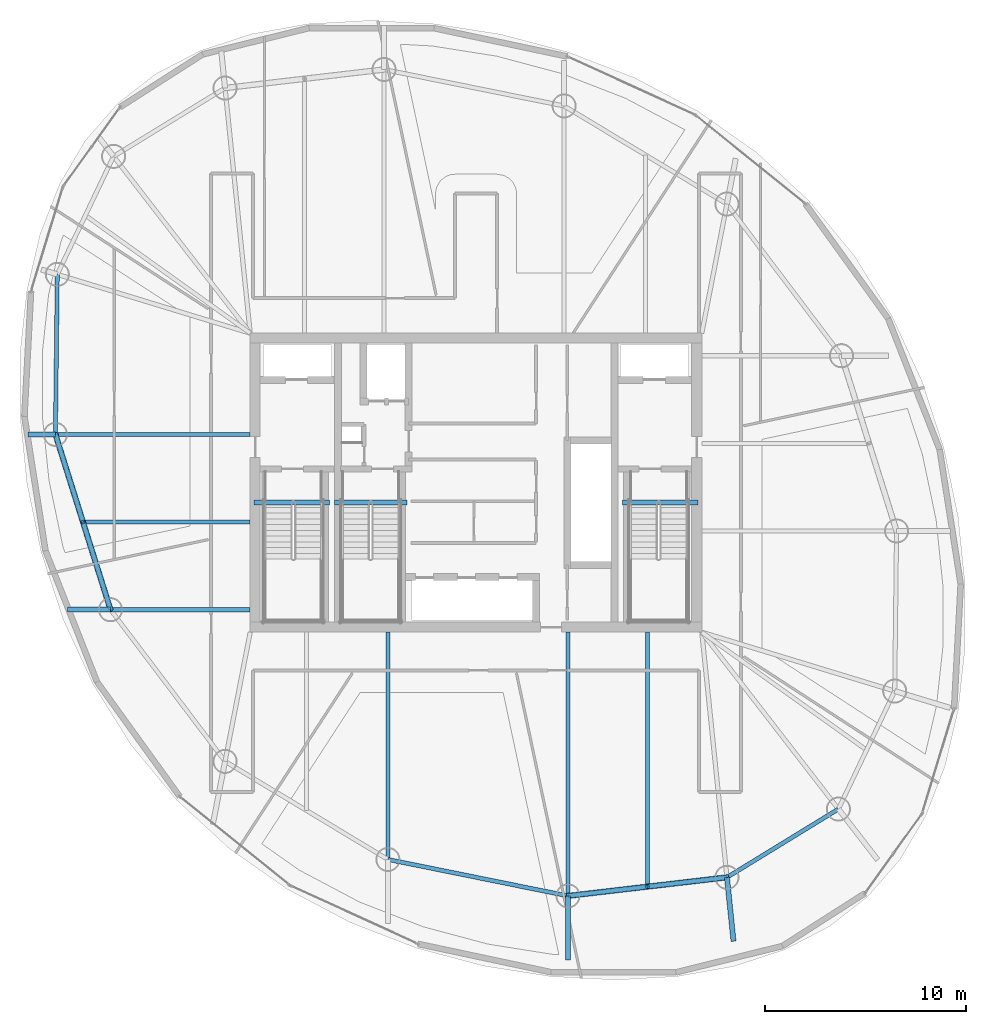
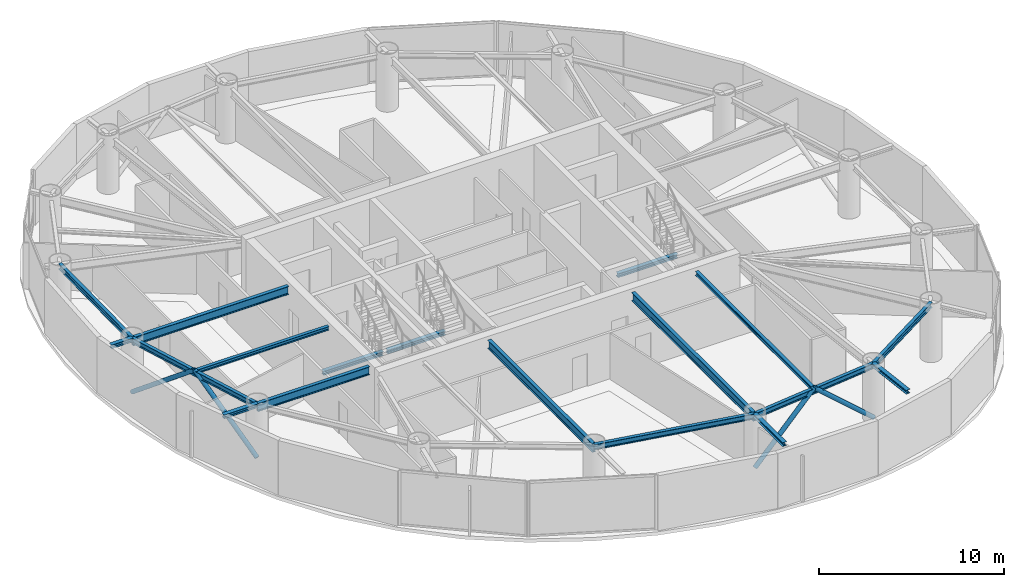
# One storey, part 4 of 19: 18 beams, 4 members.
"""IFC4 building model written with IfcOpenShell, lengths in metres."""

from ifc_helpers import new_model, si_unit, direction, frame, origin, origin_2d, place, context, subcontext, project, spatial, hollow_circle, i_section, extrude, material, material_profile, profile_set, type_object, element, save


model = new_model("IFC4")

# Units and contexts
model_context = context("Model", 3, precision=1e-05, world=origin(), true_north=direction((0.0, 1.0)))
body_context = subcontext(model_context, "Body", "Model", "MODEL_VIEW")
ifc_project = project(units=[si_unit("LENGTHUNIT", "METRE"), si_unit("AREAUNIT", "SQUARE_METRE"), si_unit("VOLUMEUNIT", "CUBIC_METRE"), si_unit("PLANEANGLEUNIT", "RADIAN"), si_unit("MASSUNIT", "GRAM", prefix="KILO")], contexts=[model_context])

# Site, building, storey
site_placement = place(None, origin())
site = spatial("IfcSite", under=ifc_project, at=site_placement, CompositionType="ELEMENT")
building_placement = place(site_placement, origin())
building = spatial("IfcBuilding", under=site, at=building_placement, Name="Bramvorn Convention Spire", CompositionType="ELEMENT")
storey_placement = place(building_placement, frame((0.0, 0.0, 217.39990234375)))
storey = spatial("IfcBuildingStorey", under=building, at=storey_placement, Name="L55", CompositionType="ELEMENT", Elevation=217.39990234375)

# Beams
ifc_material = material(Name="Steel CSA G40.21 Grade 350 (350W)", Category="steel")
ifc_material_profile_1 = material_profile(ifc_material, i_section(OverallWidth=0.201904296875, OverallDepth=0.2470703125, WebThickness=0.00732421875, FlangeThickness=0.010986328125, FilletRadius=0.011962890625, at=origin_2d()))
ifc_profile_set_1 = profile_set([ifc_material_profile_1], Name="Steel CSA G40.21 Grade 350 (350W) - W250X49")
beam_type_1 = type_object("IfcBeamType", Name="BM-W250X49", PredefinedType="JOIST", material=ifc_profile_set_1)
beam_1_placement = place(storey_placement, frame((26.75, 24.039794921875, 3.49658203125), z_axis=(-1.0, 0.0, 0.0), x_axis=(0.0, -1.0, 0.0)))
element("IfcBeam", 1, at=beam_1_placement, inside=storey, type_object=beam_type_1, Name="L55 composite floor joist 11", PredefinedType="JOIST", context=body_context, shape_type="SweptSolid", body=[
    extrude(i_section(OverallWidth=0.201904296875, OverallDepth=0.2470703125, WebThickness=0.00732421875, FlangeThickness=0.010986328125, FilletRadius=0.011962890625, at=origin_2d()), origin(), (0.0, 0.0, 1.0), 8.33251953125),
])
beam_2_placement = place(storey_placement, frame((46.544189453125, 18.550048828125, 3.49658203125), z_axis=(0.0, -1.0, 0.0), x_axis=(1.0, 0.0, 0.0)))
element("IfcBeam", 2, at=beam_2_placement, inside=storey, type_object=beam_type_1, Name="L55 composite floor joist 15", PredefinedType="JOIST", context=body_context, shape_type="SweptSolid", body=[
    extrude(i_section(OverallWidth=0.201904296875, OverallDepth=0.2470703125, WebThickness=0.00732421875, FlangeThickness=0.010986328125, FilletRadius=0.011962890625, at=origin_2d()), origin(), (0.0, 0.0, 1.0), 12.67626953125),
])
ifc_material_profile_2 = material_profile(ifc_material, i_section(OverallWidth=0.25390625, OverallDepth=0.2529296875, WebThickness=0.008544921875, FlangeThickness=0.01416015625, FilletRadius=0.011962890625, at=origin_2d()))
ifc_profile_set_2 = profile_set([ifc_material_profile_2], Name="Steel CSA G40.21 Grade 350 (350W) - W250X73")
beam_type_2 = type_object("IfcBeamType", Name="BM-W250X73", PredefinedType="BEAM", material=ifc_profile_set_2)
beam_3_placement = place(storey_placement, frame((17.04541015625, 28.406494140625, 3.49365234375), z_axis=(-1.0, 0.0, 0.0), x_axis=(0.0, -1.0, 0.0)))
element("IfcBeam", 3, at=beam_3_placement, inside=storey, type_object=beam_type_2, Name="L55 slab-edge cantilever tip beam MC11", PredefinedType="BEAM", context=body_context, shape_type="SweptSolid", body=[
    extrude(i_section(OverallWidth=0.25390625, OverallDepth=0.2529296875, WebThickness=0.008544921875, FlangeThickness=0.01416015625, FilletRadius=0.011962890625, at=origin_2d()), origin(), (0.0, 0.0, 1.0), 1.357666015625),
])
beam_4_placement = place(storey_placement, frame((19.78955078125, 19.672607421875, 3.49365234375), z_axis=(-1.0, 0.0, 0.0), x_axis=(0.0, -1.0, 0.0)))
element("IfcBeam", 4, at=beam_4_placement, inside=storey, type_object=beam_type_2, Name="L55 slab-edge cantilever tip beam MC12", PredefinedType="BEAM", context=body_context, shape_type="SweptSolid", body=[
    extrude(i_section(OverallWidth=0.25390625, OverallDepth=0.2529296875, WebThickness=0.008544921875, FlangeThickness=0.01416015625, FilletRadius=0.011962890625, at=origin_2d()), origin(), (0.0, 0.0, 1.0), 2.13427734375),
])
beam_5_placement = place(storey_placement, frame((42.583740234375, 5.41162109375, 3.49365234375), z_axis=(0.0, -1.0, 0.0), x_axis=(1.0, 0.0, 0.0)))
element("IfcBeam", 5, at=beam_5_placement, inside=storey, type_object=beam_type_2, Name="L55 slab-edge cantilever tip beam MC15", PredefinedType="BEAM", context=body_context, shape_type="SweptSolid", body=[
    extrude(i_section(OverallWidth=0.25390625, OverallDepth=0.2529296875, WebThickness=0.008544921875, FlangeThickness=0.01416015625, FilletRadius=0.011962890625, at=origin_2d()), origin(), (0.0, 0.0, 1.0), 3.199951171875),
])
beam_6_placement = place(storey_placement, frame((50.50439453125, 6.336181640625, 3.49365234375), z_axis=(0.10223018875, -0.994760769486, 0.0), x_axis=(0.994760769486, 0.10223018875, 0.0)))
element("IfcBeam", 6, at=beam_6_placement, inside=storey, type_object=beam_type_2, Name="L55 slab-edge cantilever tip beam MC16", PredefinedType="BEAM", context=body_context, shape_type="SweptSolid", body=[
    extrude(i_section(OverallWidth=0.25390625, OverallDepth=0.2529296875, WebThickness=0.008544921875, FlangeThickness=0.01416015625, FilletRadius=0.011962890625, at=origin_2d()), origin(), (0.0, 0.0, 1.0), 3.2001953125),
])
for number, where, z_axis, x_axis, name in (
    (7, (26.949951171875, 25.010009765625, -0.12646484375), (1.0, 0.0, 0.0), (0.0, 1.0, 0.0), "L55 ST1 stair arrival header beam"),
    (8, (45.31005859375, 25.010009765625, -0.12646484375), (1.0, 0.0, 0.0), (0.0, 1.0, 0.0), "L55 ST2 stair arrival header beam"),
):
    element("IfcBeam", number, at=place(storey_placement, frame(where, z_axis=z_axis, x_axis=x_axis)), inside=storey, type_object=beam_type_2, Name=name, PredefinedType="BEAM", context=body_context, shape_type="SweptSolid", body=[
        extrude(i_section(OverallWidth=0.25390625, OverallDepth=0.2529296875, WebThickness=0.008544921875, FlangeThickness=0.01416015625, FilletRadius=0.011962890625, at=origin_2d()), origin(), (0.0, 0.0, 1.0), 3.739990234375),
    ])
beam_7_placement = place(storey_placement, frame((30.949951171875, 25.010009765625, -0.12646484375), z_axis=(1.0, 0.0, 0.0), x_axis=(0.0, 1.0, 0.0)))
element("IfcBeam", 9, at=beam_7_placement, inside=storey, type_object=beam_type_2, Name="L55 ST3 stair arrival header beam", PredefinedType="BEAM", context=body_context, shape_type="SweptSolid", body=[
    extrude(i_section(OverallWidth=0.25390625, OverallDepth=0.2529296875, WebThickness=0.008544921875, FlangeThickness=0.01416015625, FilletRadius=0.011962890625, at=origin_2d()), origin(), (0.0, 0.0, 1.0), 3.610107421875),
])
ifc_material_profile_3 = material_profile(ifc_material, i_section(OverallWidth=0.205078125, OverallDepth=0.35400390625, WebThickness=0.009521484375, FlangeThickness=0.016845703125, FilletRadius=0.014892578125, at=origin_2d()))
ifc_profile_set_3 = profile_set([ifc_material_profile_3], Name="Steel CSA G40.21 Grade 350 (350W) - W360X79")
beam_type_3 = type_object("IfcBeamType", Name="BM-W360X79", PredefinedType="JOIST", material=ifc_profile_set_3)
beam_8_placement = place(storey_placement, frame((17.136962890625, 36.380615234375, 3.443115234375), z_axis=(-0.011480475367, -0.999934097171, 0.0), x_axis=(0.999934097171, -0.011480475367, 0.0)))
element("IfcBeam", 10, at=beam_8_placement, inside=storey, type_object=beam_type_3, Name="L55 mega-column ring beam 10", PredefinedType="JOIST", context=body_context, shape_type="SweptSolid", body=[
    extrude(i_section(OverallWidth=0.205078125, OverallDepth=0.35400390625, WebThickness=0.009521484375, FlangeThickness=0.016845703125, FilletRadius=0.014892578125, at=origin_2d()), origin(), (0.0, 0.0, 1.0), 7.974609375),
])
for number, where, z_axis, x_axis, name in (
    (11, (17.04541015625, 28.406494140625, 3.443115234375), (0.299747542929, -0.954018558786, 0.0), (0.954018558786, 0.299747542929, 0.0), "L55 mega-column ring beam 11"),
    (12, (33.61083984375, 7.227783203125, 3.443115234375), (0.980124701676, -0.198382381187, 0.0), (0.198382381187, 0.980124701676, 0.0), "L55 mega-column ring beam 14"),
):
    element("IfcBeam", number, at=place(storey_placement, frame(where, z_axis=z_axis, x_axis=x_axis)), inside=storey, type_object=beam_type_3, Name=name, PredefinedType="JOIST", context=body_context, shape_type="SweptSolid", body=[
        extrude(i_section(OverallWidth=0.205078125, OverallDepth=0.35400390625, WebThickness=0.009521484375, FlangeThickness=0.016845703125, FilletRadius=0.014892578125, at=origin_2d()), origin(), (0.0, 0.0, 1.0), 9.15478515625),
    ])
beam_9_placement = place(storey_placement, frame((42.583740234375, 5.41162109375, 3.443115234375), z_axis=(0.993256148339, 0.115940604561, 0.0), x_axis=(-0.115940604561, 0.993256148339, 0.0)))
element("IfcBeam", 13, at=beam_9_placement, inside=storey, type_object=beam_type_3, Name="L55 mega-column ring beam 15", PredefinedType="JOIST", context=body_context, shape_type="SweptSolid", body=[
    extrude(i_section(OverallWidth=0.205078125, OverallDepth=0.35400390625, WebThickness=0.009521484375, FlangeThickness=0.016845703125, FilletRadius=0.014892578125, at=origin_2d()), origin(), (0.0, 0.0, 1.0), 7.974365234375),
])
beam_10_placement = place(storey_placement, frame((50.50439453125, 6.336181640625, 3.443115234375), z_axis=(0.852616873135, 0.522536570629, 0.0), x_axis=(-0.522536570629, 0.852616873135, 0.0)))
element("IfcBeam", 14, at=beam_10_placement, inside=storey, type_object=beam_type_3, Name="L55 mega-column ring beam 16", PredefinedType="JOIST", context=body_context, shape_type="SweptSolid", body=[
    extrude(i_section(OverallWidth=0.205078125, OverallDepth=0.35400390625, WebThickness=0.009521484375, FlangeThickness=0.016845703125, FilletRadius=0.014892578125, at=origin_2d()), origin(), (0.0, 0.0, 1.0), 6.513916015625),
])
ifc_material_profile_4 = material_profile(ifc_material, i_section(OverallWidth=0.2119140625, OverallDepth=0.5439453125, WebThickness=0.01318359375, FlangeThickness=0.021240234375, FilletRadius=0.01904296875, at=origin_2d()))
ifc_profile_set_4 = profile_set([ifc_material_profile_4], Name="Steel CSA G40.21 Grade 350 (350W) - W530X123")
beam_type_4 = type_object("IfcBeamType", Name="BM-W530X123", PredefinedType="BEAM", material=ifc_profile_set_4)
beam_11_placement = place(storey_placement, frame((26.75, 28.406494140625, 3.34814453125), z_axis=(-1.0, 0.0, 0.0), x_axis=(0.0, -1.0, 0.0)))
element("IfcBeam", 15, at=beam_11_placement, inside=storey, type_object=beam_type_4, Name="L55 radial floor girder MC11", PredefinedType="BEAM", context=body_context, shape_type="SweptSolid", body=[
    extrude(i_section(OverallWidth=0.2119140625, OverallDepth=0.5439453125, WebThickness=0.01318359375, FlangeThickness=0.021240234375, FilletRadius=0.01904296875, at=origin_2d()), origin(), (0.0, 0.0, 1.0), 9.70458984375),
])
beam_12_placement = place(storey_placement, frame((26.75, 19.672607421875, 3.34814453125), z_axis=(-1.0, 0.0, 0.0), x_axis=(0.0, -1.0, 0.0)))
element("IfcBeam", 16, at=beam_12_placement, inside=storey, type_object=beam_type_4, Name="L55 radial floor girder MC12", PredefinedType="BEAM", context=body_context, shape_type="SweptSolid", body=[
    extrude(i_section(OverallWidth=0.2119140625, OverallDepth=0.5439453125, WebThickness=0.01318359375, FlangeThickness=0.021240234375, FilletRadius=0.01904296875, at=origin_2d()), origin(), (0.0, 0.0, 1.0), 6.96044921875),
])
beam_13_placement = place(storey_placement, frame((33.61083984375, 18.550048828125, 3.34814453125), z_axis=(0.0, -1.0, 0.0), x_axis=(1.0, 0.0, 0.0)))
element("IfcBeam", 17, at=beam_13_placement, inside=storey, type_object=beam_type_4, Name="L55 radial floor girder MC14", PredefinedType="BEAM", context=body_context, shape_type="SweptSolid", body=[
    extrude(i_section(OverallWidth=0.2119140625, OverallDepth=0.5439453125, WebThickness=0.01318359375, FlangeThickness=0.021240234375, FilletRadius=0.01904296875, at=origin_2d()), origin(), (0.0, 0.0, 1.0), 11.322265625),
])
beam_14_placement = place(storey_placement, frame((42.583740234375, 18.550048828125, 3.34814453125), z_axis=(0.0, -1.0, 0.0), x_axis=(1.0, 0.0, 0.0)))
element("IfcBeam", 18, at=beam_14_placement, inside=storey, type_object=beam_type_4, Name="L55 radial floor girder MC15", PredefinedType="BEAM", context=body_context, shape_type="SweptSolid", body=[
    extrude(i_section(OverallWidth=0.2119140625, OverallDepth=0.5439453125, WebThickness=0.01318359375, FlangeThickness=0.021240234375, FilletRadius=0.01904296875, at=origin_2d()), origin(), (0.0, 0.0, 1.0), 13.138427734375),
])

# Members
ifc_material_profile_5 = material_profile(ifc_material, hollow_circle(Radius=0.136474609375, WallThickness=0.0126953125, at=origin_2d()))
ifc_profile_set_5 = profile_set([ifc_material_profile_5], Name="Steel CSA G40.21 Grade 350 (350W) - CHS273X13")
member_type = type_object("IfcMemberType", Name="MBR-CHS273X13", PredefinedType="BRACE", material=ifc_profile_set_5)
for number, where, z_axis, x_axis, name in (
    (19, (17.04541015625, 28.406494140625, 0.0), (0.235107601758, -0.74828641862, 0.620315928624), (0.954018558786, 0.299747542929, 0.0), "L55 perimeter Gothic lancet brace 11A"),
    (20, (19.78955078125, 19.672607421875, 0.0), (-0.235107601758, 0.74828641862, 0.620315928624), (-0.954018558786, -0.299747542929, 0.0), "L55 perimeter Gothic lancet brace 11B"),
):
    element("IfcMember", number, at=place(storey_placement, frame(where, z_axis=z_axis, x_axis=x_axis)), inside=storey, type_object=member_type, Name=name, PredefinedType="BRACE", context=body_context, shape_type="SweptSolid", body=[
        extrude(hollow_circle(Radius=0.136474609375, WallThickness=0.0126953125, at=origin_2d()), origin(), (0.0, 0.0, 1.0), 5.8359375),
    ])
member_1_placement = place(storey_placement, frame((42.583740234375, 5.41162109375, 0.0), z_axis=(0.735383423132, 0.085859709247, 0.672189951807), x_axis=(-0.115967281863, 0.993253033993, 0.0)))
element("IfcMember", 21, at=member_1_placement, inside=storey, type_object=member_type, Name="L55 perimeter Gothic lancet brace 15A", PredefinedType="BRACE", context=body_context, shape_type="SweptSolid", body=[
    extrude(hollow_circle(Radius=0.136474609375, WallThickness=0.0126953125, at=origin_2d()), origin(), (0.0, 0.0, 1.0), 5.385498046875),
])
member_2_placement = place(storey_placement, frame((50.50439453125, 6.336181640625, 0.0), z_axis=(-0.735365466565, -0.085817571556, 0.672214976772), x_axis=(0.115913925363, -0.99325926218, 0.0)))
element("IfcMember", 22, at=member_2_placement, inside=storey, type_object=member_type, Name="L55 perimeter Gothic lancet brace 15B", PredefinedType="BRACE", context=body_context, shape_type="SweptSolid", body=[
    extrude(hollow_circle(Radius=0.136474609375, WallThickness=0.0126953125, at=origin_2d()), origin(), (0.0, 0.0, 1.0), 5.38525390625),
])

save(model, "model.ifc")
